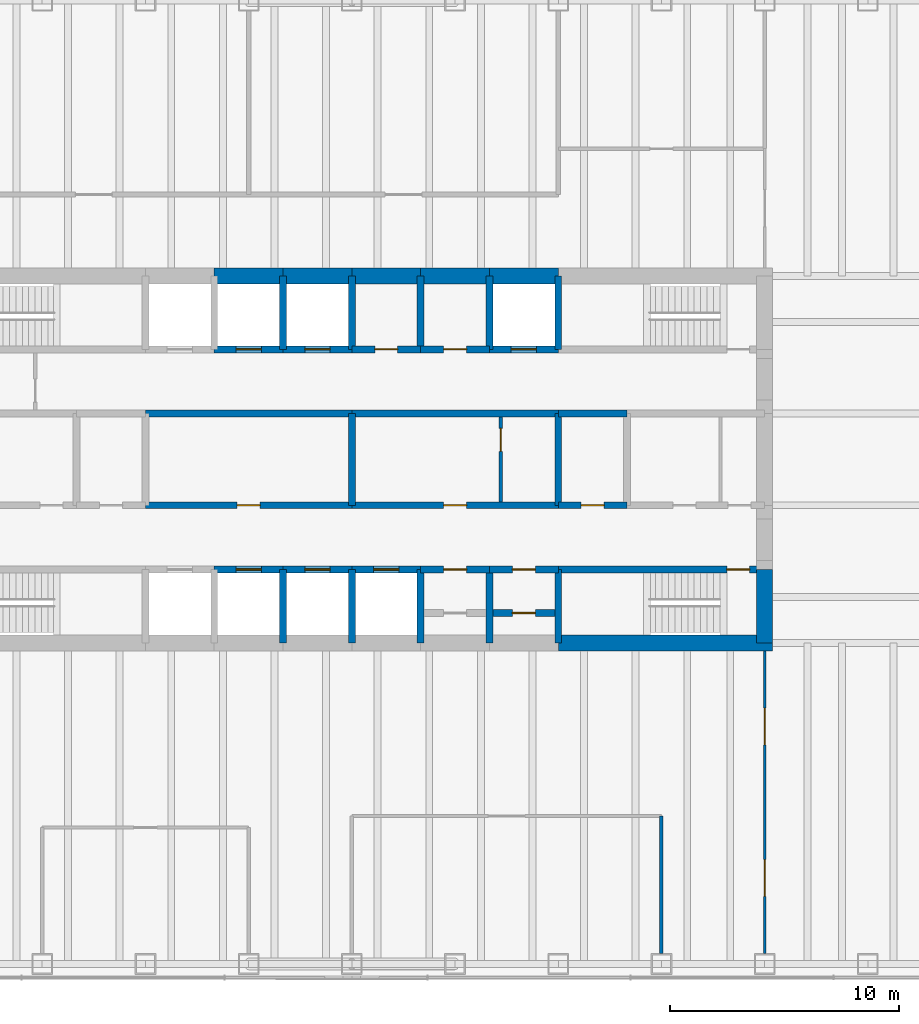
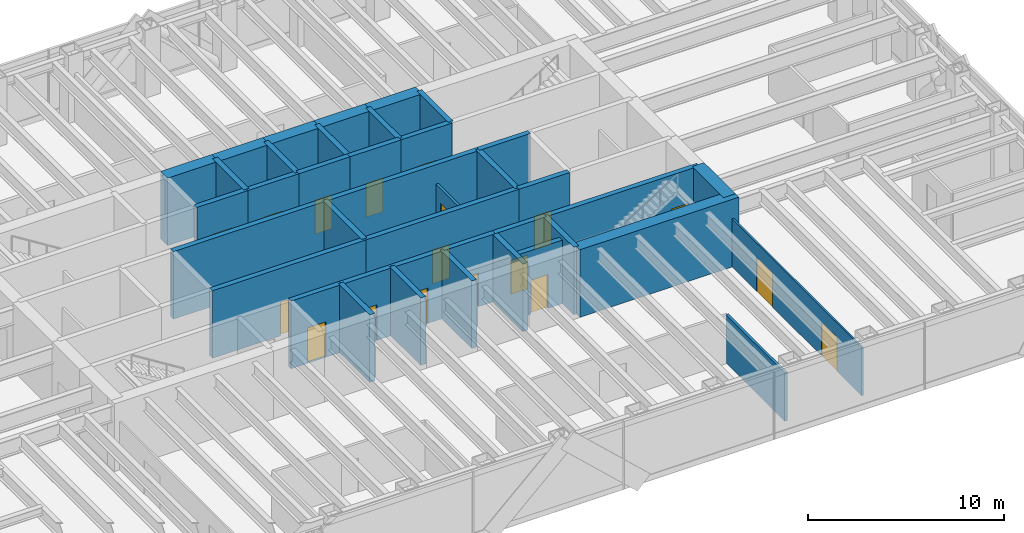
# One storey, part 12 of 15: 40 walls, 18 doors, 18 openings.
"""IFC4 building model written with IfcOpenShell, lengths in metres."""

from ifc_helpers import new_model, si_unit, direction, frame, frame_2d, origin, place, context, subcontext, project, spatial, rectangle, extrude, material, layer, layer_set, type_object, element, fill, save


model = new_model("IFC4")

# Units and contexts
model_context = context("Model", 3, precision=1e-05, world=origin(), true_north=direction((0.0, 1.0)))
body_context = subcontext(model_context, "Body", "Model", "MODEL_VIEW")
ifc_project = project(units=[si_unit("LENGTHUNIT", "METRE"), si_unit("AREAUNIT", "SQUARE_METRE"), si_unit("VOLUMEUNIT", "CUBIC_METRE"), si_unit("PLANEANGLEUNIT", "RADIAN"), si_unit("MASSUNIT", "GRAM", prefix="KILO")], contexts=[model_context])

# Site, building, storey
site_placement = place(None, origin())
site = spatial("IfcSite", under=ifc_project, at=site_placement, CompositionType="ELEMENT")
building_placement = place(site_placement, origin())
building = spatial("IfcBuilding", under=site, at=building_placement, Name="Rheinbord Bourse Tower", CompositionType="ELEMENT")
storey_placement = place(building_placement, frame((0.0, 0.0, 329.89990234375)))
storey = spatial("IfcBuildingStorey", under=building, at=storey_placement, Name="L75", CompositionType="ELEMENT", Elevation=329.89990234375)

# Wall, opening, door
ifc_material_1 = material(Name="Concrete C50/60", Category="concrete")
ifc_layer_1 = layer(ifc_material_1, 0.300048828125)
ifc_layer_set_1 = layer_set([ifc_layer_1], Name="CORE INNER WALL 300")
wall_type_1 = type_object("IfcWallType", Name="CORE INNER WALL 300", PredefinedType="SOLIDWALL", material=ifc_layer_set_1)
wall_1_placement = place(storey_placement, frame((30.0, 19.199951171875, 0.0), z_axis=(0.0, 0.0, 1.0), x_axis=(1.0, 0.0, 0.0)))
wall_1 = element("IfcWall", 1, at=wall_1_placement, inside=storey, type_object=wall_type_1, Name="Core wall A3 L75", PredefinedType="SOLIDWALL", context=body_context, shape_type="SweptSolid", body=[
    extrude(rectangle(XDim=3.0, YDim=0.300048828125, at=frame_2d((1.5, 0.0))), origin(), (0.0, 0.0, 1.0), 4.2001953125),
])
opening_1_placement = place(wall_1_placement, frame((0.949951171875, 0.0, 0.0)))
opening_1 = element("IfcOpeningElement", 2, at=opening_1_placement, cuts=wall_1, Name="Opening PD1", PredefinedType="OPENING", context=body_context, shape_type="SweptSolid", body=[
    extrude(rectangle(XDim=1.10009765625, YDim=2.199951171875, at=frame_2d((0.550048828125, 1.10009765625))), frame((0.0, 0.159912109375, 0.0), z_axis=(0.0, -1.0, 0.0), x_axis=(1.0, 0.0, 0.0)), (0.0, 0.0, 1.0), 0.320068359375),
])
ifc_material_2 = material(Name="Steel landing door", Category="steel")
door_type_1 = type_object("IfcDoorType", Name="LIFT LANDING DOOR 1100", OperationType="DOUBLE_DOOR_SLIDING", PredefinedType="USERDEFINED", material=ifc_material_2)
door_1_placement = place(opening_1_placement, origin())
door_1 = element("IfcDoor", 3, at=door_1_placement, inside=storey, type_object=door_type_1, Name="Lift landing door PD1 L75", ObjectType="LIFT LANDING DOOR", OperationType="DOUBLE_DOOR_SLIDING", OverallHeight=2.199951171875, OverallWidth=1.10009765625, PredefinedType="USERDEFINED", context=body_context, shape_type="SweptSolid", body=[
    extrude(rectangle(XDim=1.10009765625, YDim=2.199951171875, at=frame_2d((0.550048828125, 1.10009765625))), frame((0.0, 0.02490234375, 0.0), z_axis=(0.0, -1.0, 0.0), x_axis=(1.0, 0.0, 0.0)), (0.0, 0.0, 1.0), 0.050048828125),
])
fill(opening_1, door_1)

wall_2_placement = place(storey_placement, frame((33.0, 19.199951171875, 0.0), z_axis=(0.0, 0.0, 1.0), x_axis=(1.0, 0.0, 0.0)))
wall_2 = element("IfcWall", 4, at=wall_2_placement, inside=storey, type_object=wall_type_1, Name="Core wall A4 L75", PredefinedType="SOLIDWALL", context=body_context, shape_type="SweptSolid", body=[
    extrude(rectangle(XDim=3.0, YDim=0.300048828125, at=frame_2d((1.5, 0.0))), origin(), (0.0, 0.0, 1.0), 4.2001953125),
])
opening_2_placement = place(wall_2_placement, frame((0.949951171875, 0.0, 0.0)))
opening_2 = element("IfcOpeningElement", 5, at=opening_2_placement, cuts=wall_2, Name="Opening PD2", PredefinedType="OPENING", context=body_context, shape_type="SweptSolid", body=[
    extrude(rectangle(XDim=1.10009765625, YDim=2.199951171875, at=frame_2d((0.550048828125, 1.10009765625))), frame((0.0, 0.159912109375, 0.0), z_axis=(0.0, -1.0, 0.0), x_axis=(1.0, 0.0, 0.0)), (0.0, 0.0, 1.0), 0.320068359375),
])
door_2_placement = place(opening_2_placement, origin())
door_2 = element("IfcDoor", 6, at=door_2_placement, inside=storey, type_object=door_type_1, Name="Lift landing door PD2 L75", ObjectType="LIFT LANDING DOOR", OperationType="DOUBLE_DOOR_SLIDING", OverallHeight=2.199951171875, OverallWidth=1.10009765625, PredefinedType="USERDEFINED", context=body_context, shape_type="SweptSolid", body=[
    extrude(rectangle(XDim=1.10009765625, YDim=2.199951171875, at=frame_2d((0.550048828125, 1.10009765625))), frame((0.0, 0.02490234375, 0.0), z_axis=(0.0, -1.0, 0.0), x_axis=(1.0, 0.0, 0.0)), (0.0, 0.0, 1.0), 0.050048828125),
])
fill(opening_2, door_2)

wall_3_placement = place(storey_placement, frame((36.0, 19.199951171875, 0.0), z_axis=(0.0, 0.0, 1.0), x_axis=(1.0, 0.0, 0.0)))
wall_3 = element("IfcWall", 7, at=wall_3_placement, inside=storey, type_object=wall_type_1, Name="Core wall A5 L75", PredefinedType="SOLIDWALL", context=body_context, shape_type="SweptSolid", body=[
    extrude(rectangle(XDim=3.0, YDim=0.300048828125, at=frame_2d((1.5, 0.0))), origin(), (0.0, 0.0, 1.0), 4.2001953125),
])
opening_3_placement = place(wall_3_placement, frame((0.949951171875, 0.0, 0.0)))
opening_3 = element("IfcOpeningElement", 8, at=opening_3_placement, cuts=wall_3, Name="Opening PD3", PredefinedType="OPENING", context=body_context, shape_type="SweptSolid", body=[
    extrude(rectangle(XDim=1.10009765625, YDim=2.199951171875, at=frame_2d((0.550048828125, 1.10009765625))), frame((0.0, 0.159912109375, 0.0), z_axis=(0.0, -1.0, 0.0), x_axis=(1.0, 0.0, 0.0)), (0.0, 0.0, 1.0), 0.320068359375),
])
door_3_placement = place(opening_3_placement, origin())
door_3 = element("IfcDoor", 9, at=door_3_placement, inside=storey, type_object=door_type_1, Name="Lift landing door PD3 L75", ObjectType="LIFT LANDING DOOR", OperationType="DOUBLE_DOOR_SLIDING", OverallHeight=2.199951171875, OverallWidth=1.10009765625, PredefinedType="USERDEFINED", context=body_context, shape_type="SweptSolid", body=[
    extrude(rectangle(XDim=1.10009765625, YDim=2.199951171875, at=frame_2d((0.550048828125, 1.10009765625))), frame((0.0, 0.02490234375, 0.0), z_axis=(0.0, -1.0, 0.0), x_axis=(1.0, 0.0, 0.0)), (0.0, 0.0, 1.0), 0.050048828125),
])
fill(opening_3, door_3)

wall_4_placement = place(storey_placement, frame((39.0, 19.199951171875, 0.0), z_axis=(0.0, 0.0, 1.0), x_axis=(1.0, 0.0, 0.0)))
wall_4 = element("IfcWall", 10, at=wall_4_placement, inside=storey, type_object=wall_type_1, Name="Core wall A6 L75", PredefinedType="SOLIDWALL", context=body_context, shape_type="SweptSolid", body=[
    extrude(rectangle(XDim=3.0, YDim=0.300048828125, at=frame_2d((1.5, 0.0))), origin(), (0.0, 0.0, 1.0), 4.2001953125),
])
opening_4_placement = place(wall_4_placement, frame((1.0, 0.0, 0.0)))
opening_4 = element("IfcOpeningElement", 11, at=opening_4_placement, cuts=wall_4, Name="Opening 75R8", PredefinedType="OPENING", context=body_context, shape_type="SweptSolid", body=[
    extrude(rectangle(XDim=1.0, YDim=2.10009765625, at=frame_2d((0.5, 1.050048828125))), frame((0.0, 0.159912109375, 0.0), z_axis=(0.0, -1.0, 0.0), x_axis=(1.0, 0.0, 0.0)), (0.0, 0.0, 1.0), 0.320068359375),
])
ifc_material_3 = material(Name="Steel door", Category="steel")
door_type_2 = type_object("IfcDoorType", Name="DOOR 1000 EI30", OperationType="SINGLE_SWING_LEFT", PredefinedType="DOOR", material=ifc_material_3)
door_4_placement = place(opening_4_placement, origin())
door_4 = element("IfcDoor", 12, at=door_4_placement, inside=storey, type_object=door_type_2, Name="Archive store door L75", OperationType="SINGLE_SWING_LEFT", OverallHeight=2.10009765625, OverallWidth=1.0, PredefinedType="DOOR", context=body_context, shape_type="SweptSolid", body=[
    extrude(rectangle(XDim=1.0, YDim=2.10009765625, at=frame_2d((0.5, 1.050048828125))), frame((0.0, 0.02490234375, 0.0), z_axis=(0.0, -1.0, 0.0), x_axis=(1.0, 0.0, 0.0)), (0.0, 0.0, 1.0), 0.050048828125),
])
fill(opening_4, door_4)

wall_5_placement = place(storey_placement, frame((42.0, 19.199951171875, 0.0), z_axis=(0.0, 0.0, 1.0), x_axis=(1.0, 0.0, 0.0)))
wall_5 = element("IfcWall", 13, at=wall_5_placement, inside=storey, type_object=wall_type_1, Name="Core wall A7 L75", PredefinedType="SOLIDWALL", context=body_context, shape_type="SweptSolid", body=[
    extrude(rectangle(XDim=3.0, YDim=0.300048828125, at=frame_2d((1.5, 0.0))), origin(), (0.0, 0.0, 1.0), 4.2001953125),
])
opening_5_placement = place(wall_5_placement, frame((1.0, 0.0, 0.0)))
opening_5 = element("IfcOpeningElement", 14, at=opening_5_placement, cuts=wall_5, Name="Opening 75R9", PredefinedType="OPENING", context=body_context, shape_type="SweptSolid", body=[
    extrude(rectangle(XDim=1.0, YDim=2.10009765625, at=frame_2d((0.5, 1.050048828125))), frame((0.0, 0.159912109375, 0.0), z_axis=(0.0, -1.0, 0.0), x_axis=(1.0, 0.0, 0.0)), (0.0, 0.0, 1.0), 0.320068359375),
])
door_5_placement = place(opening_5_placement, origin())
door_5 = element("IfcDoor", 15, at=door_5_placement, inside=storey, type_object=door_type_2, Name="Mail room door L75", OperationType="SINGLE_SWING_LEFT", OverallHeight=2.10009765625, OverallWidth=1.0, PredefinedType="DOOR", context=body_context, shape_type="SweptSolid", body=[
    extrude(rectangle(XDim=1.0, YDim=2.10009765625, at=frame_2d((0.5, 1.050048828125))), frame((0.0, 0.02490234375, 0.0), z_axis=(0.0, -1.0, 0.0), x_axis=(1.0, 0.0, 0.0)), (0.0, 0.0, 1.0), 0.050048828125),
])
fill(opening_5, door_5)

wall_6_placement = place(storey_placement, frame((45.0, 19.199951171875, 0.0), z_axis=(0.0, 0.0, 1.0), x_axis=(1.0, 0.0, 0.0)))
wall_6 = element("IfcWall", 16, at=wall_6_placement, inside=storey, type_object=wall_type_1, Name="Core wall A8 L75", PredefinedType="SOLIDWALL", context=body_context, shape_type="SweptSolid", body=[
    extrude(rectangle(XDim=9.0, YDim=0.300048828125, at=frame_2d((4.5, 0.0))), origin(), (0.0, 0.0, 1.0), 4.2001953125),
])
opening_6_placement = place(wall_6_placement, frame((7.35009765625, 0.0, 0.0)))
opening_6 = element("IfcOpeningElement", 17, at=opening_6_placement, cuts=wall_6, Name="Opening 7530", PredefinedType="OPENING", context=body_context, shape_type="SweptSolid", body=[
    extrude(rectangle(XDim=1.0, YDim=2.10009765625, at=frame_2d((0.5, 1.050048828125))), frame((0.0, 0.159912109375, 0.0), z_axis=(0.0, -1.0, 0.0), x_axis=(1.0, 0.0, 0.0)), (0.0, 0.0, 1.0), 0.320068359375),
])
door_6_placement = place(opening_6_placement, origin())
door_6 = element("IfcDoor", 18, at=door_6_placement, inside=storey, type_object=door_type_2, Name="Stair door ST3 L75", OperationType="SINGLE_SWING_RIGHT", OverallHeight=2.10009765625, OverallWidth=1.0, PredefinedType="DOOR", context=body_context, shape_type="SweptSolid", body=[
    extrude(rectangle(XDim=1.0, YDim=2.10009765625, at=frame_2d((0.5, 1.050048828125))), frame((0.0, 0.02490234375, 0.0), z_axis=(0.0, -1.0, 0.0), x_axis=(1.0, 0.0, 0.0)), (0.0, 0.0, 1.0), 0.050048828125),
])
fill(opening_6, door_6)

wall_7_placement = place(storey_placement, frame((30.0, 28.800048828125, 0.0), z_axis=(0.0, 0.0, 1.0), x_axis=(1.0, 0.0, 0.0)))
wall_7 = element("IfcWall", 19, at=wall_7_placement, inside=storey, type_object=wall_type_1, Name="Core wall B3 L75", PredefinedType="SOLIDWALL", context=body_context, shape_type="SweptSolid", body=[
    extrude(rectangle(XDim=3.0, YDim=0.300048828125, at=frame_2d((1.5, 0.0))), origin(), (0.0, 0.0, 1.0), 4.2001953125),
])
opening_7_placement = place(wall_7_placement, frame((0.949951171875, 0.0, 0.0)))
opening_7 = element("IfcOpeningElement", 20, at=opening_7_placement, cuts=wall_7, Name="Opening PD4", PredefinedType="OPENING", context=body_context, shape_type="SweptSolid", body=[
    extrude(rectangle(XDim=1.10009765625, YDim=2.199951171875, at=frame_2d((0.550048828125, 1.10009765625))), frame((0.0, 0.159912109375, 0.0), z_axis=(0.0, -1.0, 0.0), x_axis=(1.0, 0.0, 0.0)), (0.0, 0.0, 1.0), 0.320068359375),
])
door_7_placement = place(opening_7_placement, origin())
door_7 = element("IfcDoor", 21, at=door_7_placement, inside=storey, type_object=door_type_1, Name="Lift landing door PD4 L75", ObjectType="LIFT LANDING DOOR", OperationType="DOUBLE_DOOR_SLIDING", OverallHeight=2.199951171875, OverallWidth=1.10009765625, PredefinedType="USERDEFINED", context=body_context, shape_type="SweptSolid", body=[
    extrude(rectangle(XDim=1.10009765625, YDim=2.199951171875, at=frame_2d((0.550048828125, 1.10009765625))), frame((0.0, 0.02490234375, 0.0), z_axis=(0.0, -1.0, 0.0), x_axis=(1.0, 0.0, 0.0)), (0.0, 0.0, 1.0), 0.050048828125),
])
fill(opening_7, door_7)

wall_8_placement = place(storey_placement, frame((33.0, 28.800048828125, 0.0), z_axis=(0.0, 0.0, 1.0), x_axis=(1.0, 0.0, 0.0)))
wall_8 = element("IfcWall", 22, at=wall_8_placement, inside=storey, type_object=wall_type_1, Name="Core wall B4 L75", PredefinedType="SOLIDWALL", context=body_context, shape_type="SweptSolid", body=[
    extrude(rectangle(XDim=3.0, YDim=0.300048828125, at=frame_2d((1.5, 0.0))), origin(), (0.0, 0.0, 1.0), 4.2001953125),
])
opening_8_placement = place(wall_8_placement, frame((0.949951171875, 0.0, 0.0)))
opening_8 = element("IfcOpeningElement", 23, at=opening_8_placement, cuts=wall_8, Name="Opening PD5", PredefinedType="OPENING", context=body_context, shape_type="SweptSolid", body=[
    extrude(rectangle(XDim=1.10009765625, YDim=2.199951171875, at=frame_2d((0.550048828125, 1.10009765625))), frame((0.0, 0.159912109375, 0.0), z_axis=(0.0, -1.0, 0.0), x_axis=(1.0, 0.0, 0.0)), (0.0, 0.0, 1.0), 0.320068359375),
])
door_8_placement = place(opening_8_placement, origin())
door_8 = element("IfcDoor", 24, at=door_8_placement, inside=storey, type_object=door_type_1, Name="Lift landing door PD5 L75", ObjectType="LIFT LANDING DOOR", OperationType="DOUBLE_DOOR_SLIDING", OverallHeight=2.199951171875, OverallWidth=1.10009765625, PredefinedType="USERDEFINED", context=body_context, shape_type="SweptSolid", body=[
    extrude(rectangle(XDim=1.10009765625, YDim=2.199951171875, at=frame_2d((0.550048828125, 1.10009765625))), frame((0.0, 0.02490234375, 0.0), z_axis=(0.0, -1.0, 0.0), x_axis=(1.0, 0.0, 0.0)), (0.0, 0.0, 1.0), 0.050048828125),
])
fill(opening_8, door_8)

wall_9_placement = place(storey_placement, frame((36.0, 28.800048828125, 0.0), z_axis=(0.0, 0.0, 1.0), x_axis=(1.0, 0.0, 0.0)))
wall_9 = element("IfcWall", 25, at=wall_9_placement, inside=storey, type_object=wall_type_1, Name="Core wall B5 L75", PredefinedType="SOLIDWALL", context=body_context, shape_type="SweptSolid", body=[
    extrude(rectangle(XDim=3.0, YDim=0.300048828125, at=frame_2d((1.5, 0.0))), origin(), (0.0, 0.0, 1.0), 4.2001953125),
])
opening_9_placement = place(wall_9_placement, frame((1.0, 0.0, 0.0)))
opening_9 = element("IfcOpeningElement", 26, at=opening_9_placement, cuts=wall_9, Name="Opening 75R10", PredefinedType="OPENING", context=body_context, shape_type="SweptSolid", body=[
    extrude(rectangle(XDim=1.0, YDim=2.10009765625, at=frame_2d((0.5, 1.050048828125))), frame((0.0, 0.159912109375, 0.0), z_axis=(0.0, -1.0, 0.0), x_axis=(1.0, 0.0, 0.0)), (0.0, 0.0, 1.0), 0.320068359375),
])
door_9_placement = place(opening_9_placement, origin())
door_9 = element("IfcDoor", 27, at=door_9_placement, inside=storey, type_object=door_type_2, Name="Stationery store door L75", OperationType="SINGLE_SWING_LEFT", OverallHeight=2.10009765625, OverallWidth=1.0, PredefinedType="DOOR", context=body_context, shape_type="SweptSolid", body=[
    extrude(rectangle(XDim=1.0, YDim=2.10009765625, at=frame_2d((0.5, 1.050048828125))), frame((0.0, 0.02490234375, 0.0), z_axis=(0.0, -1.0, 0.0), x_axis=(1.0, 0.0, 0.0)), (0.0, 0.0, 1.0), 0.050048828125),
])
fill(opening_9, door_9)

wall_10_placement = place(storey_placement, frame((39.0, 28.800048828125, 0.0), z_axis=(0.0, 0.0, 1.0), x_axis=(1.0, 0.0, 0.0)))
wall_10 = element("IfcWall", 28, at=wall_10_placement, inside=storey, type_object=wall_type_1, Name="Core wall B6 L75", PredefinedType="SOLIDWALL", context=body_context, shape_type="SweptSolid", body=[
    extrude(rectangle(XDim=3.0, YDim=0.300048828125, at=frame_2d((1.5, 0.0))), origin(), (0.0, 0.0, 1.0), 4.2001953125),
])
opening_10_placement = place(wall_10_placement, frame((1.0, 0.0, 0.0)))
opening_10 = element("IfcOpeningElement", 29, at=opening_10_placement, cuts=wall_10, Name="Opening 75R11", PredefinedType="OPENING", context=body_context, shape_type="SweptSolid", body=[
    extrude(rectangle(XDim=1.0, YDim=2.10009765625, at=frame_2d((0.5, 1.050048828125))), frame((0.0, 0.159912109375, 0.0), z_axis=(0.0, -1.0, 0.0), x_axis=(1.0, 0.0, 0.0)), (0.0, 0.0, 1.0), 0.320068359375),
])
door_10_placement = place(opening_10_placement, origin())
door_10 = element("IfcDoor", 30, at=door_10_placement, inside=storey, type_object=door_type_2, Name="Supplies store door L75", OperationType="SINGLE_SWING_LEFT", OverallHeight=2.10009765625, OverallWidth=1.0, PredefinedType="DOOR", context=body_context, shape_type="SweptSolid", body=[
    extrude(rectangle(XDim=1.0, YDim=2.10009765625, at=frame_2d((0.5, 1.050048828125))), frame((0.0, 0.02490234375, 0.0), z_axis=(0.0, -1.0, 0.0), x_axis=(1.0, 0.0, 0.0)), (0.0, 0.0, 1.0), 0.050048828125),
])
fill(opening_10, door_10)

wall_11_placement = place(storey_placement, frame((42.0, 28.800048828125, 0.0), z_axis=(0.0, 0.0, 1.0), x_axis=(1.0, 0.0, 0.0)))
wall_11 = element("IfcWall", 31, at=wall_11_placement, inside=storey, type_object=wall_type_1, Name="Core wall B7 L75", PredefinedType="SOLIDWALL", context=body_context, shape_type="SweptSolid", body=[
    extrude(rectangle(XDim=3.0, YDim=0.300048828125, at=frame_2d((1.5, 0.0))), origin(), (0.0, 0.0, 1.0), 4.2001953125),
])
opening_11_placement = place(wall_11_placement, frame((0.949951171875, 0.0, 0.0)))
opening_11 = element("IfcOpeningElement", 32, at=opening_11_placement, cuts=wall_11, Name="Opening FL2", PredefinedType="OPENING", context=body_context, shape_type="SweptSolid", body=[
    extrude(rectangle(XDim=1.10009765625, YDim=2.199951171875, at=frame_2d((0.550048828125, 1.10009765625))), frame((0.0, 0.159912109375, 0.0), z_axis=(0.0, -1.0, 0.0), x_axis=(1.0, 0.0, 0.0)), (0.0, 0.0, 1.0), 0.320068359375),
])
door_11_placement = place(opening_11_placement, origin())
door_11 = element("IfcDoor", 33, at=door_11_placement, inside=storey, type_object=door_type_1, Name="Lift landing door FL2 L75", ObjectType="LIFT LANDING DOOR", OperationType="DOUBLE_DOOR_SLIDING", OverallHeight=2.199951171875, OverallWidth=1.10009765625, PredefinedType="USERDEFINED", context=body_context, shape_type="SweptSolid", body=[
    extrude(rectangle(XDim=1.10009765625, YDim=2.199951171875, at=frame_2d((0.550048828125, 1.10009765625))), frame((0.0, 0.02490234375, 0.0), z_axis=(0.0, -1.0, 0.0), x_axis=(1.0, 0.0, 0.0)), (0.0, 0.0, 1.0), 0.050048828125),
])
fill(opening_11, door_11)

wall_12_placement = place(storey_placement, frame((27.0, 22.0, 0.0), z_axis=(0.0, 0.0, 1.0), x_axis=(1.0, 0.0, 0.0)))
wall_12 = element("IfcWall", 34, at=wall_12_placement, inside=storey, type_object=wall_type_1, Name="Core wall C3 L75", PredefinedType="SOLIDWALL", context=body_context, shape_type="SweptSolid", body=[
    extrude(rectangle(XDim=9.0, YDim=0.300048828125, at=frame_2d((4.5, 0.0))), origin(), (0.0, 0.0, 1.0), 4.2001953125),
])
opening_12_placement = place(wall_12_placement, frame((4.0, 0.0, 0.0)))
opening_12 = element("IfcOpeningElement", 35, at=opening_12_placement, cuts=wall_12, Name="Opening 75R3", PredefinedType="OPENING", context=body_context, shape_type="SweptSolid", body=[
    extrude(rectangle(XDim=1.0, YDim=2.10009765625, at=frame_2d((0.5, 1.050048828125))), frame((0.0, 0.159912109375, 0.0), z_axis=(0.0, -1.0, 0.0), x_axis=(1.0, 0.0, 0.0)), (0.0, 0.0, 1.0), 0.320068359375),
])
door_12_placement = place(opening_12_placement, origin())
door_12 = element("IfcDoor", 36, at=door_12_placement, inside=storey, type_object=door_type_2, Name="Riser door L75", OperationType="SINGLE_SWING_LEFT", OverallHeight=2.10009765625, OverallWidth=1.0, PredefinedType="DOOR", context=body_context, shape_type="SweptSolid", body=[
    extrude(rectangle(XDim=1.0, YDim=2.10009765625, at=frame_2d((0.5, 1.050048828125))), frame((0.0, 0.02490234375, 0.0), z_axis=(0.0, -1.0, 0.0), x_axis=(1.0, 0.0, 0.0)), (0.0, 0.0, 1.0), 0.050048828125),
])
fill(opening_12, door_12)

wall_13_placement = place(storey_placement, frame((36.0, 22.0, 0.0), z_axis=(0.0, 0.0, 1.0), x_axis=(1.0, 0.0, 0.0)))
wall_13 = element("IfcWall", 37, at=wall_13_placement, inside=storey, type_object=wall_type_1, Name="Core wall C4 L75", PredefinedType="SOLIDWALL", context=body_context, shape_type="SweptSolid", body=[
    extrude(rectangle(XDim=9.0, YDim=0.300048828125, at=frame_2d((4.5, 0.0))), origin(), (0.0, 0.0, 1.0), 4.2001953125),
])
opening_13_placement = place(wall_13_placement, frame((4.0, 0.0, 0.0)))
opening_13 = element("IfcOpeningElement", 38, at=opening_13_placement, cuts=wall_13, Name="Opening 75R4", PredefinedType="OPENING", context=body_context, shape_type="SweptSolid", body=[
    extrude(rectangle(XDim=1.0, YDim=2.10009765625, at=frame_2d((0.5, 1.050048828125))), frame((0.0, 0.159912109375, 0.0), z_axis=(0.0, -1.0, 0.0), x_axis=(1.0, 0.0, 0.0)), (0.0, 0.0, 1.0), 0.320068359375),
])
door_13_placement = place(opening_13_placement, origin())
door_13 = element("IfcDoor", 39, at=door_13_placement, inside=storey, type_object=door_type_2, Name="Print room door L75", OperationType="SINGLE_SWING_LEFT", OverallHeight=2.10009765625, OverallWidth=1.0, PredefinedType="DOOR", context=body_context, shape_type="SweptSolid", body=[
    extrude(rectangle(XDim=1.0, YDim=2.10009765625, at=frame_2d((0.5, 1.050048828125))), frame((0.0, 0.02490234375, 0.0), z_axis=(0.0, -1.0, 0.0), x_axis=(1.0, 0.0, 0.0)), (0.0, 0.0, 1.0), 0.050048828125),
])
fill(opening_13, door_13)

wall_14_placement = place(storey_placement, frame((45.0, 22.0, 0.0), z_axis=(0.0, 0.0, 1.0), x_axis=(1.0, 0.0, 0.0)))
wall_14 = element("IfcWall", 40, at=wall_14_placement, inside=storey, type_object=wall_type_1, Name="Core wall C5 L75", PredefinedType="SOLIDWALL", context=body_context, shape_type="SweptSolid", body=[
    extrude(rectangle(XDim=3.0, YDim=0.300048828125, at=frame_2d((1.5, 0.0))), origin(), (0.0, 0.0, 1.0), 4.2001953125),
])
opening_14_placement = place(wall_14_placement, frame((1.0, 0.0, 0.0)))
opening_14 = element("IfcOpeningElement", 41, at=opening_14_placement, cuts=wall_14, Name="Opening 75R5", PredefinedType="OPENING", context=body_context, shape_type="SweptSolid", body=[
    extrude(rectangle(XDim=1.0, YDim=2.10009765625, at=frame_2d((0.5, 1.050048828125))), frame((0.0, 0.159912109375, 0.0), z_axis=(0.0, -1.0, 0.0), x_axis=(1.0, 0.0, 0.0)), (0.0, 0.0, 1.0), 0.320068359375),
])
ifc_material_4 = material(Name="Timber door", Category="wood")
door_type_3 = type_object("IfcDoorType", Name="DOOR 1000 WC", OperationType="SINGLE_SWING_LEFT", PredefinedType="DOOR", material=ifc_material_4)
door_14_placement = place(opening_14_placement, origin())
door_14 = element("IfcDoor", 42, at=door_14_placement, inside=storey, type_object=door_type_3, Name="Accessible WC door L75", OperationType="SINGLE_SWING_LEFT", OverallHeight=2.10009765625, OverallWidth=1.0, PredefinedType="DOOR", context=body_context, shape_type="SweptSolid", body=[
    extrude(rectangle(XDim=1.0, YDim=2.10009765625, at=frame_2d((0.5, 1.050048828125))), frame((0.0, 0.02490234375, 0.0), z_axis=(0.0, -1.0, 0.0), x_axis=(1.0, 0.0, 0.0)), (0.0, 0.0, 1.0), 0.050048828125),
])
fill(opening_14, door_14)

# Walls
for number, where, z_axis, x_axis, name in (
    (43, (27.0, 26.0, 0.0), (0.0, 0.0, 1.0), (1.0, 0.0, 0.0), "Core wall D3 L75"),
    (44, (36.0, 26.0, 0.0), (0.0, 0.0, 1.0), (1.0, 0.0, 0.0), "Core wall D4 L75"),
):
    element("IfcWall", number, at=place(storey_placement, frame(where, z_axis=z_axis, x_axis=x_axis)), inside=storey, type_object=wall_type_1, Name=name, PredefinedType="SOLIDWALL", context=body_context, shape_type="SweptSolid", body=[
        extrude(rectangle(XDim=9.0, YDim=0.300048828125, at=frame_2d((4.5, 0.0))), origin(), (0.0, 0.0, 1.0), 4.2001953125),
    ])
wall_15_placement = place(storey_placement, frame((45.0, 26.0, 0.0), z_axis=(0.0, 0.0, 1.0), x_axis=(1.0, 0.0, 0.0)))
element("IfcWall", 45, at=wall_15_placement, inside=storey, type_object=wall_type_1, Name="Core wall D5 L75", PredefinedType="SOLIDWALL", context=body_context, shape_type="SweptSolid", body=[
    extrude(rectangle(XDim=3.0, YDim=0.300048828125, at=frame_2d((1.5, 0.0))), origin(), (0.0, 0.0, 1.0), 4.2001953125),
])
for number, where, z_axis, x_axis, name in (
    (46, (33.0, 16.0, 0.0), (0.0, 0.0, 1.0), (0.0, 1.0, 0.0), "Core wall SX33 L75"),
    (47, (33.0, 28.800048828125, 0.0), (0.0, 0.0, 1.0), (0.0, 1.0, 0.0), "Core wall NX33 L75"),
    (48, (36.0, 16.0, 0.0), (0.0, 0.0, 1.0), (0.0, 1.0, 0.0), "Core wall SX36 L75"),
    (49, (36.0, 28.800048828125, 0.0), (0.0, 0.0, 1.0), (0.0, 1.0, 0.0), "Core wall NX36 L75"),
    (50, (39.0, 16.0, 0.0), (0.0, 0.0, 1.0), (0.0, 1.0, 0.0), "Core wall SX39 L75"),
    (51, (39.0, 28.800048828125, 0.0), (0.0, 0.0, 1.0), (0.0, 1.0, 0.0), "Core wall NX39 L75"),
    (52, (42.0, 16.0, 0.0), (0.0, 0.0, 1.0), (0.0, 1.0, 0.0), "Core wall SX42 L75"),
    (53, (42.0, 28.800048828125, 0.0), (0.0, 0.0, 1.0), (0.0, 1.0, 0.0), "Core wall NX42 L75"),
    (54, (45.0, 16.0, 0.0), (0.0, 0.0, 1.0), (0.0, 1.0, 0.0), "Core wall SX45 L75"),
    (55, (45.0, 28.800048828125, 0.0), (0.0, 0.0, 1.0), (0.0, 1.0, 0.0), "Core wall NX45 L75"),
):
    element("IfcWall", number, at=place(storey_placement, frame(where, z_axis=z_axis, x_axis=x_axis)), inside=storey, type_object=wall_type_1, Name=name, PredefinedType="SOLIDWALL", context=body_context, shape_type="SweptSolid", body=[
        extrude(rectangle(XDim=3.199951171875, YDim=0.300048828125, at=frame_2d((1.60009765625, 0.0))), origin(), (0.0, 0.0, 1.0), 4.2001953125),
    ])
for number, where, z_axis, x_axis, name in (
    (56, (36.0, 22.0, 0.0), (0.0, 0.0, 1.0), (0.0, 1.0, 0.0), "Core wall MX36 L75"),
    (57, (45.0, 22.0, 0.0), (0.0, 0.0, 1.0), (0.0, 1.0, 0.0), "Core wall MX45 L75"),
):
    element("IfcWall", number, at=place(storey_placement, frame(where, z_axis=z_axis, x_axis=x_axis)), inside=storey, type_object=wall_type_1, Name=name, PredefinedType="SOLIDWALL", context=body_context, shape_type="SweptSolid", body=[
        extrude(rectangle(XDim=4.0, YDim=0.300048828125, at=frame_2d((2.0, 0.0))), origin(), (0.0, 0.0, 1.0), 4.2001953125),
    ])

# Wall, opening, door
wall_16_placement = place(storey_placement, frame((42.14990234375, 17.300048828125, 0.0), z_axis=(0.0, 0.0, 1.0), x_axis=(1.0, 0.0, 0.0)))
wall_16 = element("IfcWall", 58, at=wall_16_placement, inside=storey, type_object=wall_type_1, Name="Core riser wall L75-7", PredefinedType="SOLIDWALL", context=body_context, shape_type="SweptSolid", body=[
    extrude(rectangle(XDim=2.7001953125, YDim=0.300048828125, at=frame_2d((1.35009765625, 0.0))), origin(), (0.0, 0.0, 1.0), 3.9501953125),
])
opening_15_placement = place(wall_16_placement, frame((0.85009765625, 0.0, 0.0)))
opening_15 = element("IfcOpeningElement", 59, at=opening_15_placement, cuts=wall_16, Name="Opening 75R13", PredefinedType="OPENING", context=body_context, shape_type="SweptSolid", body=[
    extrude(rectangle(XDim=1.0, YDim=2.10009765625, at=frame_2d((0.5, 1.050048828125))), frame((0.0, 0.159912109375, 0.0), z_axis=(0.0, -1.0, 0.0), x_axis=(1.0, 0.0, 0.0)), (0.0, 0.0, 1.0), 0.320068359375),
])
door_15_placement = place(opening_15_placement, origin())
door_15 = element("IfcDoor", 60, at=door_15_placement, inside=storey, type_object=door_type_2, Name="Electrical riser door L75", OperationType="SINGLE_SWING_LEFT", OverallHeight=2.10009765625, OverallWidth=1.0, PredefinedType="DOOR", context=body_context, shape_type="SweptSolid", body=[
    extrude(rectangle(XDim=1.0, YDim=2.10009765625, at=frame_2d((0.5, 1.050048828125))), frame((0.0, 0.02490234375, 0.0), z_axis=(0.0, -1.0, 0.0), x_axis=(1.0, 0.0, 0.0)), (0.0, 0.0, 1.0), 0.050048828125),
])
fill(opening_15, door_15)

ifc_material_5 = material(Name="Gypsum board fire partition", Category="gypsum board")
ifc_layer_2 = layer(ifc_material_5, 0.14990234375)
ifc_layer_set_2 = layer_set([ifc_layer_2], Name="CORE PARTITION 150 EI30")
wall_type_2 = type_object("IfcWallType", Name="CORE PARTITION 150 EI30", PredefinedType="PARTITIONING", material=ifc_layer_set_2)
wall_17_placement = place(storey_placement, frame((42.5, 22.14990234375, 0.0), z_axis=(0.0, 0.0, 1.0), x_axis=(0.0, 1.0, 0.0)))
wall_17 = element("IfcWall", 61, at=wall_17_placement, inside=storey, type_object=wall_type_2, Name="Core partition L75-1", PredefinedType="PARTITIONING", context=body_context, shape_type="SweptSolid", body=[
    extrude(rectangle(XDim=3.7001953125, YDim=0.14990234375, at=frame_2d((1.85009765625, 0.0))), origin(), (0.0, 0.0, 1.0), 3.0),
])
opening_16_placement = place(wall_17_placement, frame((2.199951171875, 0.0, 0.0)))
opening_16 = element("IfcOpeningElement", 62, at=opening_16_placement, cuts=wall_17, Name="Opening 75R7", PredefinedType="OPENING", context=body_context, shape_type="SweptSolid", body=[
    extrude(rectangle(XDim=1.0, YDim=2.10009765625, at=frame_2d((0.5, 1.050048828125))), frame((0.0, 0.0849609375, 0.0), z_axis=(0.0, -1.0, 0.0), x_axis=(1.0, 0.0, 0.0)), (0.0, 0.0, 1.0), 0.169921875),
])
door_16_placement = place(opening_16_placement, origin())
door_16 = element("IfcDoor", 63, at=door_16_placement, inside=storey, type_object=door_type_2, Name="Paper store door L75", OperationType="SINGLE_SWING_RIGHT", OverallHeight=2.10009765625, OverallWidth=1.0, PredefinedType="DOOR", context=body_context, shape_type="SweptSolid", body=[
    extrude(rectangle(XDim=1.0, YDim=2.10009765625, at=frame_2d((0.5, 1.050048828125))), frame((0.0, 0.02490234375, 0.0), z_axis=(0.0, -1.0, 0.0), x_axis=(1.0, 0.0, 0.0)), (0.0, 0.0, 1.0), 0.050048828125),
])
fill(opening_16, door_16)

# Walls
ifc_material_6 = material(Name="Concrete C50/60", Category="concrete")
ifc_layer_3 = layer(ifc_material_6, 0.699951171875)
ifc_layer_set_3 = layer_set([ifc_layer_3], Name="CORE WALL 700")
wall_type_3 = type_object("IfcWallType", Name="CORE WALL 700", PredefinedType="SHEAR", material=ifc_layer_set_3)
wall_18_placement = place(storey_placement, frame((45.0, 16.0, 0.0), z_axis=(0.0, 0.0, 1.0), x_axis=(1.0, 0.0, 0.0)))
element("IfcWall", 64, at=wall_18_placement, inside=storey, type_object=wall_type_3, Name="Core wall S8 L75", PredefinedType="SHEAR", context=body_context, shape_type="SweptSolid", body=[
    extrude(rectangle(XDim=9.35009765625, YDim=0.699951171875, at=frame_2d((4.675048828125, 0.0))), origin(), (0.0, 0.0, 1.0), 4.2001953125),
])
for number, where, z_axis, x_axis, name in (
    (65, (45.0, 32.0, 0.0), (0.0, 0.0, 1.0), (-1.0, 0.0, 0.0), "Core wall N2 L75"),
    (66, (42.0, 32.0, 0.0), (0.0, 0.0, 1.0), (-1.0, 0.0, 0.0), "Core wall N3 L75"),
    (67, (39.0, 32.0, 0.0), (0.0, 0.0, 1.0), (-1.0, 0.0, 0.0), "Core wall N4 L75"),
    (68, (36.0, 32.0, 0.0), (0.0, 0.0, 1.0), (-1.0, 0.0, 0.0), "Core wall N5 L75"),
    (69, (33.0, 32.0, 0.0), (0.0, 0.0, 1.0), (-1.0, 0.0, 0.0), "Core wall N6 L75"),
):
    element("IfcWall", number, at=place(storey_placement, frame(where, z_axis=z_axis, x_axis=x_axis)), inside=storey, type_object=wall_type_3, Name=name, PredefinedType="SHEAR", context=body_context, shape_type="SweptSolid", body=[
        extrude(rectangle(XDim=3.0, YDim=0.699951171875, at=frame_2d((1.5, 0.0))), origin(), (0.0, 0.0, 1.0), 4.2001953125),
    ])
wall_19_placement = place(storey_placement, frame((54.0, 16.0, 0.0), z_axis=(0.0, 0.0, 1.0), x_axis=(0.0, 1.0, 0.0)))
element("IfcWall", 70, at=wall_19_placement, inside=storey, type_object=wall_type_3, Name="Core wall E1 L75", PredefinedType="SHEAR", context=body_context, shape_type="SweptSolid", body=[
    extrude(rectangle(XDim=3.199951171875, YDim=0.699951171875, at=frame_2d((1.60009765625, 0.0))), origin(), (0.0, 0.0, 1.0), 4.2001953125),
])

# Wall, openings, doors
ifc_material_7 = material(Name="Toughened laminated glass partition", Category="glass")
ifc_layer_4 = layer(ifc_material_7, 0.10009765625)
ifc_layer_set_4 = layer_set([ifc_layer_4], Name="GLAZED PARTITION 100")
wall_type_4 = type_object("IfcWallType", Name="GLAZED PARTITION 100", PredefinedType="PARTITIONING", material=ifc_layer_set_4)
wall_20_placement = place(storey_placement, frame((54.0, 2.449951171875, 0.0), z_axis=(0.0, 0.0, 1.0), x_axis=(0.0, 1.0, 0.0)))
wall_20 = element("IfcWall", 71, at=wall_20_placement, inside=storey, type_object=wall_type_4, Name="Partition L75-21", PredefinedType="PARTITIONING", context=body_context, shape_type="SweptSolid", body=[
    extrude(rectangle(XDim=13.199951171875, YDim=0.10009765625, at=frame_2d((6.60009765625, 0.0))), origin(), (0.0, 0.0, 1.0), 3.0),
])
opening_17_placement = place(wall_20_placement, frame((2.5, 0.0, 0.0)))
opening_17 = element("IfcOpeningElement", 72, at=opening_17_placement, cuts=wall_20, Name="Opening 75D12", PredefinedType="OPENING", context=body_context, shape_type="SweptSolid", body=[
    extrude(rectangle(XDim=1.60009765625, YDim=2.10009765625, at=frame_2d((0.800048828125, 1.050048828125))), frame((0.0, 0.06005859375, 0.0), z_axis=(0.0, -1.0, 0.0), x_axis=(1.0, 0.0, 0.0)), (0.0, 0.0, 1.0), 0.1201171875),
])
opening_18_placement = place(wall_20_placement, frame((9.10009765625, 0.0, 0.0)))
opening_18 = element("IfcOpeningElement", 73, at=opening_18_placement, cuts=wall_20, Name="Opening 75D13", PredefinedType="OPENING", context=body_context, shape_type="SweptSolid", body=[
    extrude(rectangle(XDim=1.60009765625, YDim=2.10009765625, at=frame_2d((0.800048828125, 1.050048828125))), frame((0.0, 0.06005859375, 0.0), z_axis=(0.0, -1.0, 0.0), x_axis=(1.0, 0.0, 0.0)), (0.0, 0.0, 1.0), 0.1201171875),
])
ifc_material_8 = material(Name="Timber door", Category="wood")
door_type_4 = type_object("IfcDoorType", Name="DOUBLE ROOM DOOR 1600", OperationType="DOUBLE_DOOR_DOUBLE_SWING", PredefinedType="DOOR", material=ifc_material_8)
door_17_placement = place(opening_17_placement, origin())
door_17 = element("IfcDoor", 74, at=door_17_placement, inside=storey, type_object=door_type_4, Name="Open area door L75", OperationType="SINGLE_SWING_LEFT", OverallHeight=2.10009765625, OverallWidth=1.60009765625, PredefinedType="DOOR", context=body_context, shape_type="SweptSolid", body=[
    extrude(rectangle(XDim=1.60009765625, YDim=2.10009765625, at=frame_2d((0.800048828125, 1.050048828125))), frame((0.0, 0.02490234375, 0.0), z_axis=(0.0, -1.0, 0.0), x_axis=(1.0, 0.0, 0.0)), (0.0, 0.0, 1.0), 0.050048828125),
])
fill(opening_17, door_17)
door_18_placement = place(opening_18_placement, origin())
door_18 = element("IfcDoor", 75, at=door_18_placement, inside=storey, type_object=door_type_4, Name="Open area door L75", OperationType="SINGLE_SWING_LEFT", OverallHeight=2.10009765625, OverallWidth=1.60009765625, PredefinedType="DOOR", context=body_context, shape_type="SweptSolid", body=[
    extrude(rectangle(XDim=1.60009765625, YDim=2.10009765625, at=frame_2d((0.800048828125, 1.050048828125))), frame((0.0, 0.02490234375, 0.0), z_axis=(0.0, -1.0, 0.0), x_axis=(1.0, 0.0, 0.0)), (0.0, 0.0, 1.0), 0.050048828125),
])
fill(opening_18, door_18)

# Wall
ifc_material_9 = material(Name="Gypsum board partition", Category="gypsum board")
ifc_layer_5 = layer(ifc_material_9, 0.14990234375)
ifc_layer_set_5 = layer_set([ifc_layer_5], Name="PARTITION 150")
wall_type_5 = type_object("IfcWallType", Name="PARTITION 150", PredefinedType="PARTITIONING", material=ifc_layer_set_5)
wall_21_placement = place(storey_placement, frame((49.5, 2.449951171875, 0.0), z_axis=(0.0, 0.0, 1.0), x_axis=(0.0, 1.0, 0.0)))
element("IfcWall", 76, at=wall_21_placement, inside=storey, type_object=wall_type_5, Name="Partition L75-20", PredefinedType="PARTITIONING", context=body_context, shape_type="SweptSolid", body=[
    extrude(rectangle(XDim=6.0, YDim=0.14990234375, at=frame_2d((3.0, 0.0))), origin(), (0.0, 0.0, 1.0), 3.0),
])

save(model, "model.ifc")
